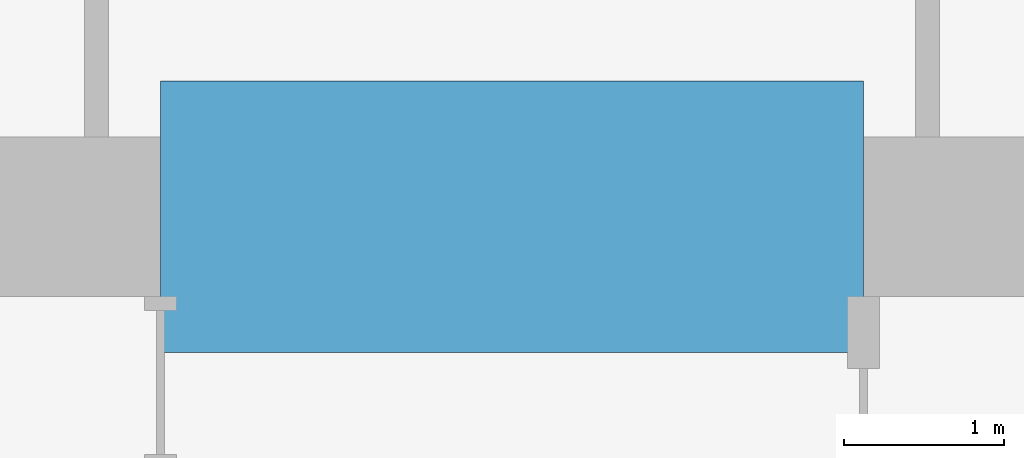
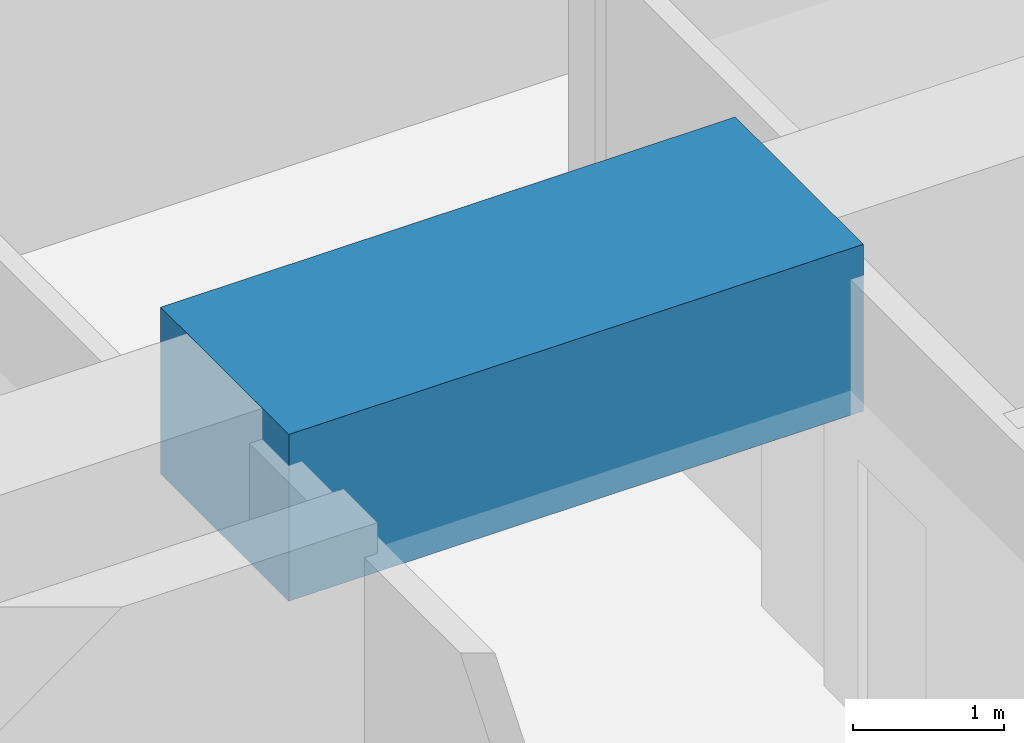
# One storey, part 18 of 40: 1 beam.
"""IFC4 building model written with IfcOpenShell, lengths in metres."""

from ifc_helpers import new_model, si_unit, direction, frame, origin, origin_2d, place, context, subcontext, project, spatial, rectangle, extrude, material, material_profile, profile_set, type_object, element, save


model = new_model("IFC4")

# Units and contexts
model_context = context("Model", 3, precision=1e-05, world=origin(), true_north=direction((0.0, 1.0)))
body_context = subcontext(model_context, "Body", "Model", "MODEL_VIEW")
ifc_project = project(units=[si_unit("LENGTHUNIT", "METRE"), si_unit("AREAUNIT", "SQUARE_METRE"), si_unit("VOLUMEUNIT", "CUBIC_METRE"), si_unit("PLANEANGLEUNIT", "RADIAN"), si_unit("MASSUNIT", "GRAM", prefix="KILO")], contexts=[model_context])

# Site, building, storey
site_placement = place(None, origin())
site = spatial("IfcSite", under=ifc_project, at=site_placement, CompositionType="ELEMENT")
building_placement = place(site_placement, origin())
building = spatial("IfcBuilding", under=site, at=building_placement, Name="Rekha Terrace Tower", CompositionType="ELEMENT")
storey_placement = place(building_placement, frame((0.0, 0.0, 110.300048828125)))
storey = spatial("IfcBuildingStorey", under=building, at=storey_placement, Name="L27", CompositionType="ELEMENT", Elevation=110.300048828125)

# Beam
ifc_material = material(Name="Concrete M70", Category="concrete")
ifc_material_profile = material_profile(ifc_material, rectangle(XDim=1.699951171875, YDim=1.35009765625, at=origin_2d()), Name="RC 1700x1350")
ifc_profile_set = profile_set([ifc_material_profile], Name="Concrete M70")
beam_type = type_object("IfcBeamType", Name="LB2A 1700x1350 diagonally reinforced coupling beam", PredefinedType="LINTEL", material=ifc_profile_set)
beam_placement = place(storey_placement, frame((35.60009765625, 46.199951171875, 3.074951171875), z_axis=(1.0, 0.0, 0.0), x_axis=(0.0, 1.0, 0.0)))
element("IfcBeam", 1, at=beam_placement, inside=storey, type_object=beam_type, Name="Coupling beam LB2A N L27", PredefinedType="LINTEL", context=body_context, shape_type="SweptSolid", body=[
    extrude(rectangle(XDim=1.699951171875, YDim=1.35009765625, at=origin_2d()), origin(), (0.0, 0.0, 1.0), 4.39990234375),
])

save(model, "model.ifc")
